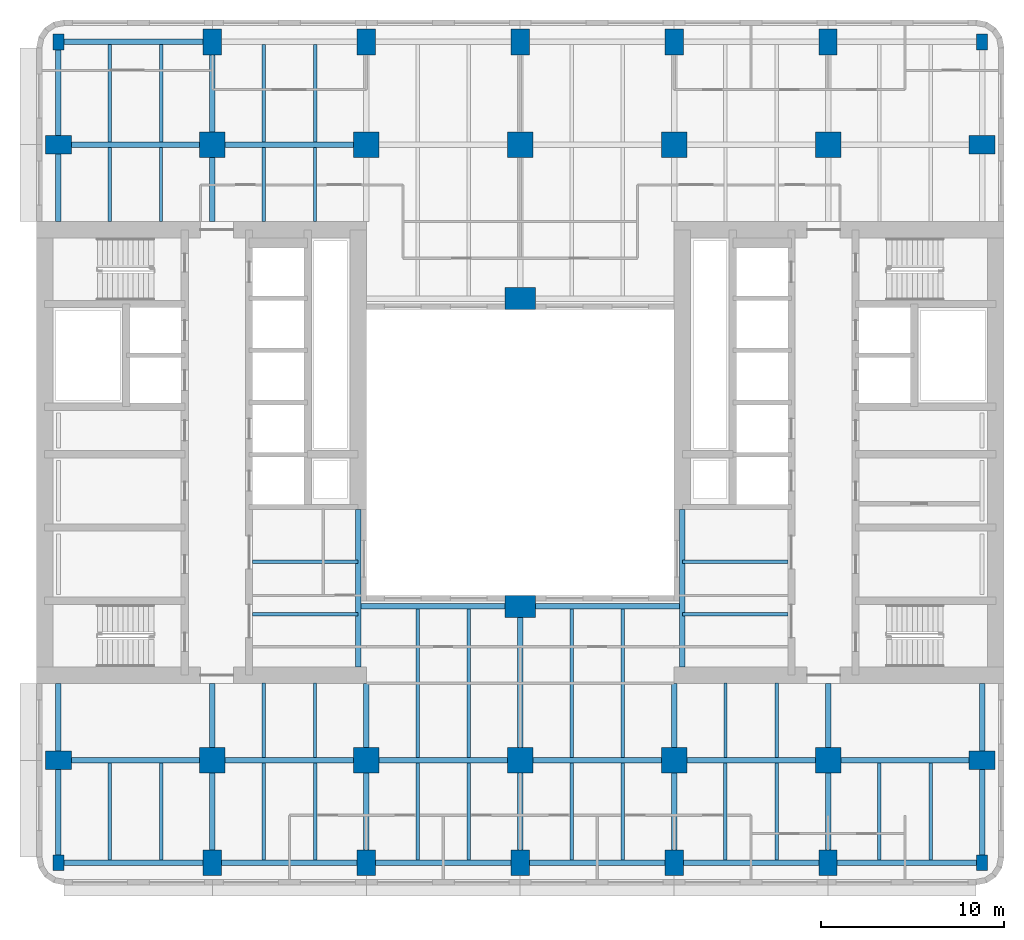
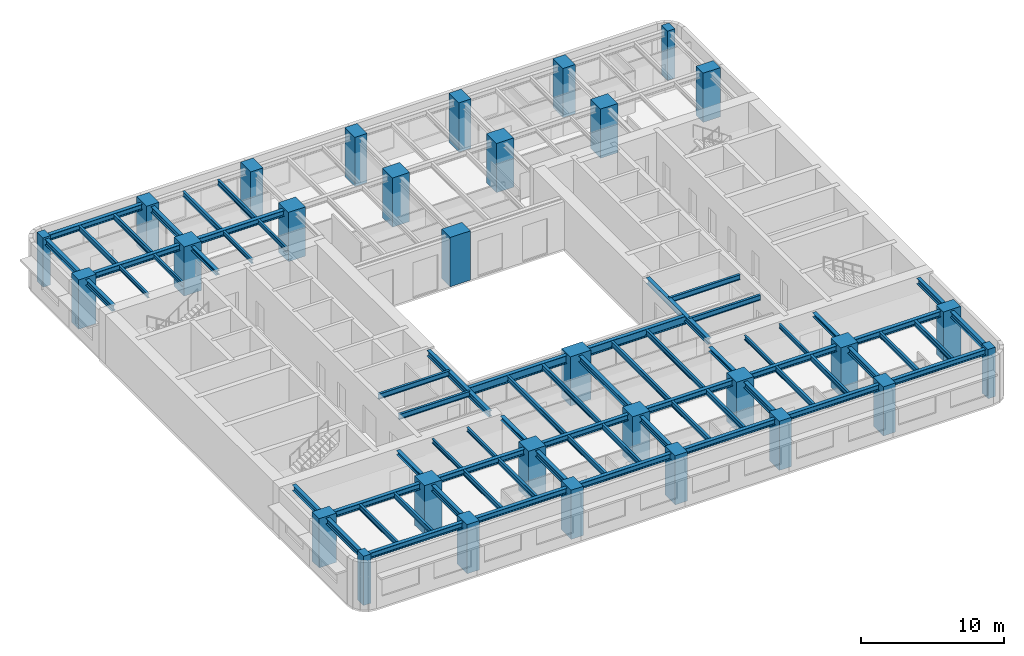
# One storey, part 1 of 11: 69 beams, 30 columns.
"""IFC4 building model written with IfcOpenShell, lengths in metres."""

from ifc_helpers import new_model, si_unit, direction, frame, origin, origin_2d, place, context, subcontext, project, spatial, rectangle, i_section, extrude, material, material_profile, profile_set, type_object, element, save


model = new_model("IFC4")

# Units and contexts
model_context = context("Model", 3, precision=1e-05, world=origin(), true_north=direction((0.0, 1.0)))
body_context = subcontext(model_context, "Body", "Model", "MODEL_VIEW")
ifc_project = project(units=[si_unit("LENGTHUNIT", "METRE"), si_unit("AREAUNIT", "SQUARE_METRE"), si_unit("VOLUMEUNIT", "CUBIC_METRE"), si_unit("PLANEANGLEUNIT", "RADIAN"), si_unit("MASSUNIT", "GRAM", prefix="KILO")], contexts=[model_context])

# Site, building, storey
site_placement = place(None, origin())
site = spatial("IfcSite", under=ifc_project, at=site_placement, CompositionType="ELEMENT")
building_placement = place(site_placement, origin())
building = spatial("IfcBuilding", under=site, at=building_placement, Name="Claustro Exchange Tower", CompositionType="ELEMENT")
storey_placement = place(building_placement, frame((0.0, 0.0, 134.39990234375)))
storey = spatial("IfcBuildingStorey", under=building, at=storey_placement, Name="L30", CompositionType="ELEMENT", Elevation=134.39990234375)

# Columns
ifc_material_1 = material(Name="Concrete HA-70 (C70/85)", Category="concrete")
ifc_material_profile_1 = material_profile(ifc_material_1, rectangle(XDim=1.39990234375, YDim=1.39990234375, at=origin_2d()), Name="RC 1400x1400")
ifc_profile_set_1 = profile_set([ifc_material_profile_1], Name="Concrete HA-70 (C70/85)")
column_type_1 = type_object("IfcColumnType", Name="C0 RC 1400x1400 HA-70 column", PredefinedType="COLUMN", material=ifc_profile_set_1)
for number, where, z_axis, x_axis, name in (
    (1, (8.39990234375, 8.39990234375, 0.0), (0.0, 0.0, 1.0), (1.0, 0.0, 0.0), "Column C0 2/B L30"),
    (2, (8.39990234375, 42.0, 0.0), (0.0, 0.0, 1.0), (1.0, 0.0, 0.0), "Column C0 2/F L30"),
    (3, (16.800048828125, 8.39990234375, 0.0), (0.0, 0.0, 1.0), (1.0, 0.0, 0.0), "Column C0 3/B L30"),
    (4, (16.800048828125, 42.0, 0.0), (0.0, 0.0, 1.0), (1.0, 0.0, 0.0), "Column C0 3/F L30"),
    (5, (25.199951171875, 8.39990234375, 0.0), (0.0, 0.0, 1.0), (1.0, 0.0, 0.0), "Column C0 4/B L30"),
    (6, (25.199951171875, 42.0, 0.0), (0.0, 0.0, 1.0), (1.0, 0.0, 0.0), "Column C0 4/F L30"),
    (7, (33.60009765625, 8.39990234375, 0.0), (0.0, 0.0, 1.0), (1.0, 0.0, 0.0), "Column C0 5/B L30"),
    (8, (33.60009765625, 42.0, 0.0), (0.0, 0.0, 1.0), (1.0, 0.0, 0.0), "Column C0 5/F L30"),
    (9, (42.0, 8.39990234375, 0.0), (0.0, 0.0, 1.0), (1.0, 0.0, 0.0), "Column C0 6/B L30"),
    (10, (42.0, 42.0, 0.0), (0.0, 0.0, 1.0), (1.0, 0.0, 0.0), "Column C0 6/F L30"),
):
    element("IfcColumn", number, at=place(storey_placement, frame(where, z_axis=z_axis, x_axis=x_axis)), inside=storey, type_object=column_type_1, Name=name, PredefinedType="COLUMN", context=body_context, shape_type="SweptSolid", body=[
        extrude(rectangle(XDim=1.39990234375, YDim=1.39990234375, at=origin_2d()), origin(), (0.0, 0.0, 1.0), 4.2001953125),
    ])
ifc_material_2 = material(Name="Concrete HA-70 (C70/85)", Category="concrete")
ifc_material_profile_2 = material_profile(ifc_material_2, rectangle(XDim=1.0, YDim=1.39990234375, at=origin_2d()), Name="RC 1000x1400")
ifc_profile_set_2 = profile_set([ifc_material_profile_2], Name="Concrete HA-70 (C70/85)")
column_type_2 = type_object("IfcColumnType", Name="C22 RC 1000x1400 HA-70 perimeter column", PredefinedType="COLUMN", material=ifc_profile_set_2)
for number, where, z_axis, x_axis, name in (
    (11, (0.0, 8.39990234375, 0.0), (0.0, 0.0, 1.0), (0.0, 1.0, 0.0), "Column C22 1/B L30"),
    (12, (0.0, 42.0, 0.0), (0.0, 0.0, 1.0), (0.0, 1.0, 0.0), "Column C22 1/F L30"),
    (13, (8.39990234375, 2.800048828125, 0.0), (0.0, 0.0, 1.0), (1.0, 0.0, 0.0), "Column C22 2/A+2800 L30"),
    (14, (8.39990234375, 47.60009765625, 0.0), (0.0, 0.0, 1.0), (1.0, 0.0, 0.0), "Column C22 2/F+5600 L30"),
    (15, (16.800048828125, 2.800048828125, 0.0), (0.0, 0.0, 1.0), (1.0, 0.0, 0.0), "Column C22 3/A+2800 L30"),
    (16, (16.800048828125, 47.60009765625, 0.0), (0.0, 0.0, 1.0), (1.0, 0.0, 0.0), "Column C22 3/F+5600 L30"),
    (17, (25.199951171875, 2.800048828125, 0.0), (0.0, 0.0, 1.0), (1.0, 0.0, 0.0), "Column C22 4/A+2800 L30"),
    (18, (25.199951171875, 47.60009765625, 0.0), (0.0, 0.0, 1.0), (1.0, 0.0, 0.0), "Column C22 4/F+5600 L30"),
    (19, (33.60009765625, 2.800048828125, 0.0), (0.0, 0.0, 1.0), (1.0, 0.0, 0.0), "Column C22 5/A+2800 L30"),
    (20, (33.60009765625, 47.60009765625, 0.0), (0.0, 0.0, 1.0), (1.0, 0.0, 0.0), "Column C22 5/F+5600 L30"),
    (21, (42.0, 2.800048828125, 0.0), (0.0, 0.0, 1.0), (1.0, 0.0, 0.0), "Column C22 6/A+2800 L30"),
    (22, (42.0, 47.60009765625, 0.0), (0.0, 0.0, 1.0), (1.0, 0.0, 0.0), "Column C22 6/F+5600 L30"),
    (23, (50.39990234375, 8.39990234375, 0.0), (0.0, 0.0, 1.0), (0.0, 1.0, 0.0), "Column C22 7/B L30"),
    (24, (50.39990234375, 42.0, 0.0), (0.0, 0.0, 1.0), (0.0, 1.0, 0.0), "Column C22 7/F L30"),
):
    element("IfcColumn", number, at=place(storey_placement, frame(where, z_axis=z_axis, x_axis=x_axis)), inside=storey, type_object=column_type_2, Name=name, PredefinedType="COLUMN", context=body_context, shape_type="SweptSolid", body=[
        extrude(rectangle(XDim=1.0, YDim=1.39990234375, at=origin_2d()), origin(), (0.0, 0.0, 1.0), 4.2001953125),
    ])
ifc_material_3 = material(Name="Concrete HA-50 (C50/60)", Category="concrete")
ifc_material_profile_3 = material_profile(ifc_material_3, rectangle(XDim=0.60009765625, YDim=0.85009765625, at=origin_2d()), Name="RC 600x850")
ifc_profile_set_3 = profile_set([ifc_material_profile_3], Name="Concrete HA-50 (C50/60)")
column_type_3 = type_object("IfcColumnType", Name="C25 RC 600x850 HA-50 corner column", PredefinedType="COLUMN", material=ifc_profile_set_3)
for number, where, z_axis, x_axis, name in (
    (25, (0.0, 2.800048828125, 0.0), (0.0, 0.0, 1.0), (1.0, 0.0, 0.0), "Column C25 1/A+2800 L30"),
    (26, (0.0, 47.60009765625, 0.0), (0.0, 0.0, 1.0), (1.0, 0.0, 0.0), "Column C25 1/F+5600 L30"),
    (27, (50.39990234375, 2.800048828125, 0.0), (0.0, 0.0, 1.0), (1.0, 0.0, 0.0), "Column C25 7/A+2800 L30"),
    (28, (50.39990234375, 47.60009765625, 0.0), (0.0, 0.0, 1.0), (1.0, 0.0, 0.0), "Column C25 7/F+5600 L30"),
):
    element("IfcColumn", number, at=place(storey_placement, frame(where, z_axis=z_axis, x_axis=x_axis)), inside=storey, type_object=column_type_3, Name=name, PredefinedType="COLUMN", context=body_context, shape_type="SweptSolid", body=[
        extrude(rectangle(XDim=0.60009765625, YDim=0.85009765625, at=origin_2d()), origin(), (0.0, 0.0, 1.0), 4.2001953125),
    ])
ifc_material_4 = material(Name="Concrete HA-70 (C70/85)", Category="concrete")
ifc_material_profile_4 = material_profile(ifc_material_4, rectangle(XDim=1.64990234375, YDim=1.199951171875, at=origin_2d()), Name="RC 1650x1200")
ifc_profile_set_4 = profile_set([ifc_material_profile_4], Name="Concrete HA-70 (C70/85)")
column_type_4 = type_object("IfcColumnType", Name="C32 RC 1650x1200 HA-70 light well column", PredefinedType="COLUMN", material=ifc_profile_set_4)
for number, where, z_axis, x_axis, name in (
    (29, (25.199951171875, 16.800048828125, 0.0), (0.0, 0.0, 1.0), (1.0, 0.0, 0.0), "Column C32 4/C L30"),
    (30, (25.199951171875, 33.60009765625, 0.0), (0.0, 0.0, 1.0), (1.0, 0.0, 0.0), "Column C32 4/E L30"),
):
    element("IfcColumn", number, at=place(storey_placement, frame(where, z_axis=z_axis, x_axis=x_axis)), inside=storey, type_object=column_type_4, Name=name, PredefinedType="COLUMN", context=body_context, shape_type="SweptSolid", body=[
        extrude(rectangle(XDim=1.64990234375, YDim=1.199951171875, at=origin_2d()), origin(), (0.0, 0.0, 1.0), 4.2001953125),
    ])

# Beams
ifc_material_5 = material(Name="Steel S355", Category="steel")
ifc_material_profile_5 = material_profile(ifc_material_5, i_section(OverallWidth=0.300048828125, OverallDepth=0.68994140625, WebThickness=0.014404296875, FlangeThickness=0.027099609375, FilletRadius=0.027099609375, at=origin_2d()), Name="HE 700 A")
ifc_profile_set_5 = profile_set([ifc_material_profile_5], Name="Steel S355")
beam_type_1 = type_object("IfcBeamType", Name="B13 HE 700 A light well edge girder", PredefinedType="BEAM", material=ifc_profile_set_5)
beam_1_placement = place(storey_placement, frame((16.35009765625, 16.800048828125, 3.705078125), z_axis=(1.0, 0.0, 0.0), x_axis=(0.0, 1.0, 0.0)))
element("IfcBeam", 31, at=beam_1_placement, inside=storey, type_object=beam_type_1, Name="Beam B13 L31", PredefinedType="BEAM", context=body_context, shape_type="SweptSolid", body=[
    extrude(i_section(OverallWidth=0.300048828125, OverallDepth=0.68994140625, WebThickness=0.014404296875, FlangeThickness=0.027099609375, FilletRadius=0.027099609375, at=origin_2d()), origin(), (0.0, 0.0, 1.0), 8.849853515625),
])
beam_2_placement = place(storey_placement, frame((25.199951171875, 16.800048828125, 3.705078125), z_axis=(1.0, 0.0, 0.0), x_axis=(0.0, 1.0, 0.0)))
element("IfcBeam", 32, at=beam_2_placement, inside=storey, type_object=beam_type_1, Name="Beam B13 L31", PredefinedType="BEAM", context=body_context, shape_type="SweptSolid", body=[
    extrude(i_section(OverallWidth=0.300048828125, OverallDepth=0.68994140625, WebThickness=0.014404296875, FlangeThickness=0.027099609375, FilletRadius=0.027099609375, at=origin_2d()), origin(), (0.0, 0.0, 1.0), 8.85009765625),
])
ifc_material_6 = material(Name="Steel S355", Category="steel")
ifc_material_profile_6 = material_profile(ifc_material_6, i_section(OverallWidth=0.169921875, OverallDepth=0.360107421875, WebThickness=0.008056640625, FlangeThickness=0.0126953125, FilletRadius=0.01806640625, at=origin_2d()), Name="IPE 360")
ifc_profile_set_6 = profile_set([ifc_material_profile_6], Name="Steel S355")
beam_type_2 = type_object("IfcBeamType", Name="B16 IPE 360 short-span beam", PredefinedType="BEAM", material=ifc_profile_set_6)
for number, where, z_axis, x_axis, name in (
    (33, (2.800048828125, 37.7900390625, 3.8701171875), (0.0, 1.0, 0.0), (-1.0, 0.0, 0.0), "Beam B16 L31"),
    (34, (5.60009765625, 37.7900390625, 3.8701171875), (0.0, 1.0, 0.0), (-1.0, 0.0, 0.0), "Beam B16 L31"),
    (35, (11.199951171875, 8.550048828125, 3.8701171875), (0.0, 1.0, 0.0), (-1.0, 0.0, 0.0), "Beam B16 L31"),
    (36, (14.0, 8.550048828125, 3.8701171875), (0.0, 1.0, 0.0), (-1.0, 0.0, 0.0), "Beam B16 L31"),
    (37, (11.199951171875, 37.7900390625, 3.8701171875), (0.0, 1.0, 0.0), (-1.0, 0.0, 0.0), "Beam B16 L31"),
    (38, (14.0, 37.7900390625, 3.8701171875), (0.0, 1.0, 0.0), (-1.0, 0.0, 0.0), "Beam B16 L31"),
    (39, (36.39990234375, 8.550048828125, 3.8701171875), (0.0, 1.0, 0.0), (-1.0, 0.0, 0.0), "Beam B16 L31"),
    (40, (39.199951171875, 8.550048828125, 3.8701171875), (0.0, 1.0, 0.0), (-1.0, 0.0, 0.0), "Beam B16 L31"),
):
    element("IfcBeam", number, at=place(storey_placement, frame(where, z_axis=z_axis, x_axis=x_axis)), inside=storey, type_object=beam_type_2, Name=name, PredefinedType="BEAM", context=body_context, shape_type="SweptSolid", body=[
        extrude(i_section(OverallWidth=0.169921875, OverallDepth=0.360107421875, WebThickness=0.008056640625, FlangeThickness=0.0126953125, FilletRadius=0.01806640625, at=origin_2d()), origin(), (0.0, 0.0, 1.0), 4.06005859375),
    ])
ifc_material_7 = material(Name="Steel S355", Category="steel")
ifc_material_profile_7 = material_profile(ifc_material_7, i_section(OverallWidth=0.300048828125, OverallDepth=0.360107421875, WebThickness=0.012451171875, FlangeThickness=0.0224609375, FilletRadius=0.027099609375, at=origin_2d()), Name="HE 360 B")
ifc_profile_set_7 = profile_set([ifc_material_profile_7], Name="Steel S355")
beam_type_3 = type_object("IfcBeamType", Name="B29 HE 360 B column to core link beam", PredefinedType="BEAM", material=ifc_profile_set_7)
beam_3_placement = place(storey_placement, frame((8.39990234375, 8.39990234375, 3.8701171875), z_axis=(0.0, 1.0, 0.0), x_axis=(-1.0, 0.0, 0.0)))
element("IfcBeam", 41, at=beam_3_placement, inside=storey, type_object=beam_type_3, Name="Beam B29 L31", PredefinedType="BEAM", context=body_context, shape_type="SweptSolid", body=[
    extrude(i_section(OverallWidth=0.300048828125, OverallDepth=0.360107421875, WebThickness=0.012451171875, FlangeThickness=0.0224609375, FilletRadius=0.027099609375, at=origin_2d()), origin(), (0.0, 0.0, 1.0), 4.2001953125),
])
beam_4_placement = place(storey_placement, frame((8.39990234375, 37.800048828125, 3.8701171875), z_axis=(0.0, 1.0, 0.0), x_axis=(-1.0, 0.0, 0.0)))
element("IfcBeam", 42, at=beam_4_placement, inside=storey, type_object=beam_type_3, Name="Beam B29 L31", PredefinedType="BEAM", context=body_context, shape_type="SweptSolid", body=[
    extrude(i_section(OverallWidth=0.300048828125, OverallDepth=0.360107421875, WebThickness=0.012451171875, FlangeThickness=0.0224609375, FilletRadius=0.027099609375, at=origin_2d()), origin(), (0.0, 0.0, 1.0), 4.199951171875),
])
for number, where, z_axis, x_axis, name in (
    (43, (16.800048828125, 8.39990234375, 3.8701171875), (0.0, 1.0, 0.0), (-1.0, 0.0, 0.0), "Beam B29 L31"),
    (44, (33.60009765625, 8.39990234375, 3.8701171875), (0.0, 1.0, 0.0), (-1.0, 0.0, 0.0), "Beam B29 L31"),
    (45, (42.0, 8.39990234375, 3.8701171875), (0.0, 1.0, 0.0), (-1.0, 0.0, 0.0), "Beam B29 L31"),
):
    element("IfcBeam", number, at=place(storey_placement, frame(where, z_axis=z_axis, x_axis=x_axis)), inside=storey, type_object=beam_type_3, Name=name, PredefinedType="BEAM", context=body_context, shape_type="SweptSolid", body=[
        extrude(i_section(OverallWidth=0.300048828125, OverallDepth=0.360107421875, WebThickness=0.012451171875, FlangeThickness=0.0224609375, FilletRadius=0.027099609375, at=origin_2d()), origin(), (0.0, 0.0, 1.0), 4.2001953125),
    ])
ifc_material_8 = material(Name="Steel S355", Category="steel")
ifc_material_profile_8 = material_profile(ifc_material_8, i_section(OverallWidth=0.300048828125, OverallDepth=0.5, WebThickness=0.014404296875, FlangeThickness=0.028076171875, FilletRadius=0.027099609375, at=origin_2d()), Name="HE 500 B")
ifc_profile_set_8 = profile_set([ifc_material_profile_8], Name="Steel S355")
beam_type_4 = type_object("IfcBeamType", Name="B7 HE 500 B floor girder", PredefinedType="BEAM", material=ifc_profile_set_8)
beam_5_placement = place(storey_placement, frame((8.39990234375, 2.800048828125, 3.800048828125), z_axis=(0.0, 1.0, 0.0), x_axis=(-1.0, 0.0, 0.0)))
element("IfcBeam", 46, at=beam_5_placement, inside=storey, type_object=beam_type_4, Name="Beam B7 L31", PredefinedType="BEAM", context=body_context, shape_type="SweptSolid", body=[
    extrude(i_section(OverallWidth=0.300048828125, OverallDepth=0.5, WebThickness=0.014404296875, FlangeThickness=0.028076171875, FilletRadius=0.027099609375, at=origin_2d()), origin(), (0.0, 0.0, 1.0), 5.599853515625),
])
beam_6_placement = place(storey_placement, frame((8.39990234375, 42.0, 3.800048828125), z_axis=(0.0, 1.0, 0.0), x_axis=(-1.0, 0.0, 0.0)))
element("IfcBeam", 47, at=beam_6_placement, inside=storey, type_object=beam_type_4, Name="Beam B7 L31", PredefinedType="BEAM", context=body_context, shape_type="SweptSolid", body=[
    extrude(i_section(OverallWidth=0.300048828125, OverallDepth=0.5, WebThickness=0.014404296875, FlangeThickness=0.028076171875, FilletRadius=0.027099609375, at=origin_2d()), origin(), (0.0, 0.0, 1.0), 5.60009765625),
])
for number, where, z_axis, x_axis, name in (
    (48, (16.800048828125, 2.800048828125, 3.800048828125), (0.0, 1.0, 0.0), (-1.0, 0.0, 0.0), "Beam B7 L31"),
    (49, (25.199951171875, 2.800048828125, 3.800048828125), (0.0, 1.0, 0.0), (-1.0, 0.0, 0.0), "Beam B7 L31"),
):
    element("IfcBeam", number, at=place(storey_placement, frame(where, z_axis=z_axis, x_axis=x_axis)), inside=storey, type_object=beam_type_4, Name=name, PredefinedType="BEAM", context=body_context, shape_type="SweptSolid", body=[
        extrude(i_section(OverallWidth=0.300048828125, OverallDepth=0.5, WebThickness=0.014404296875, FlangeThickness=0.028076171875, FilletRadius=0.027099609375, at=origin_2d()), origin(), (0.0, 0.0, 1.0), 5.599853515625),
    ])
beam_7_placement = place(storey_placement, frame((25.199951171875, 8.39990234375, 3.800048828125), z_axis=(0.0, 1.0, 0.0), x_axis=(-1.0, 0.0, 0.0)))
element("IfcBeam", 50, at=beam_7_placement, inside=storey, type_object=beam_type_4, Name="Beam B7 L31", PredefinedType="BEAM", context=body_context, shape_type="SweptSolid", body=[
    extrude(i_section(OverallWidth=0.300048828125, OverallDepth=0.5, WebThickness=0.014404296875, FlangeThickness=0.028076171875, FilletRadius=0.027099609375, at=origin_2d()), origin(), (0.0, 0.0, 1.0), 8.400146484375),
])
for number, where, z_axis, x_axis, name in (
    (51, (33.60009765625, 2.800048828125, 3.800048828125), (0.0, 1.0, 0.0), (-1.0, 0.0, 0.0), "Beam B7 L31"),
    (52, (42.0, 2.800048828125, 3.800048828125), (0.0, 1.0, 0.0), (-1.0, 0.0, 0.0), "Beam B7 L31"),
):
    element("IfcBeam", number, at=place(storey_placement, frame(where, z_axis=z_axis, x_axis=x_axis)), inside=storey, type_object=beam_type_4, Name=name, PredefinedType="BEAM", context=body_context, shape_type="SweptSolid", body=[
        extrude(i_section(OverallWidth=0.300048828125, OverallDepth=0.5, WebThickness=0.014404296875, FlangeThickness=0.028076171875, FilletRadius=0.027099609375, at=origin_2d()), origin(), (0.0, 0.0, 1.0), 5.599853515625),
    ])
beam_8_placement = place(storey_placement, frame((0.0, 8.39990234375, 3.800048828125), z_axis=(1.0, 0.0, 0.0), x_axis=(0.0, 1.0, 0.0)))
element("IfcBeam", 53, at=beam_8_placement, inside=storey, type_object=beam_type_4, Name="Beam B7 L31", PredefinedType="BEAM", context=body_context, shape_type="SweptSolid", body=[
    extrude(i_section(OverallWidth=0.300048828125, OverallDepth=0.5, WebThickness=0.014404296875, FlangeThickness=0.028076171875, FilletRadius=0.027099609375, at=origin_2d()), origin(), (0.0, 0.0, 1.0), 8.39990234375),
])
beam_9_placement = place(storey_placement, frame((8.39990234375, 8.39990234375, 3.800048828125), z_axis=(1.0, 0.0, 0.0), x_axis=(0.0, 1.0, 0.0)))
element("IfcBeam", 54, at=beam_9_placement, inside=storey, type_object=beam_type_4, Name="Beam B7 L31", PredefinedType="BEAM", context=body_context, shape_type="SweptSolid", body=[
    extrude(i_section(OverallWidth=0.300048828125, OverallDepth=0.5, WebThickness=0.014404296875, FlangeThickness=0.028076171875, FilletRadius=0.027099609375, at=origin_2d()), origin(), (0.0, 0.0, 1.0), 8.400146484375),
])
beam_10_placement = place(storey_placement, frame((16.800048828125, 8.39990234375, 3.800048828125), z_axis=(1.0, 0.0, 0.0), x_axis=(0.0, 1.0, 0.0)))
element("IfcBeam", 55, at=beam_10_placement, inside=storey, type_object=beam_type_4, Name="Beam B7 L31", PredefinedType="BEAM", context=body_context, shape_type="SweptSolid", body=[
    extrude(i_section(OverallWidth=0.300048828125, OverallDepth=0.5, WebThickness=0.014404296875, FlangeThickness=0.028076171875, FilletRadius=0.027099609375, at=origin_2d()), origin(), (0.0, 0.0, 1.0), 8.39990234375),
])
beam_11_placement = place(storey_placement, frame((25.199951171875, 8.39990234375, 3.800048828125), z_axis=(1.0, 0.0, 0.0), x_axis=(0.0, 1.0, 0.0)))
element("IfcBeam", 56, at=beam_11_placement, inside=storey, type_object=beam_type_4, Name="Beam B7 L31", PredefinedType="BEAM", context=body_context, shape_type="SweptSolid", body=[
    extrude(i_section(OverallWidth=0.300048828125, OverallDepth=0.5, WebThickness=0.014404296875, FlangeThickness=0.028076171875, FilletRadius=0.027099609375, at=origin_2d()), origin(), (0.0, 0.0, 1.0), 8.400146484375),
])
for number, where, z_axis, x_axis, name in (
    (57, (33.60009765625, 8.39990234375, 3.800048828125), (1.0, 0.0, 0.0), (0.0, 1.0, 0.0), "Beam B7 L31"),
    (58, (42.0, 8.39990234375, 3.800048828125), (1.0, 0.0, 0.0), (0.0, 1.0, 0.0), "Beam B7 L31"),
    (59, (0.0, 42.0, 3.800048828125), (1.0, 0.0, 0.0), (0.0, 1.0, 0.0), "Beam B7 L31"),
):
    element("IfcBeam", number, at=place(storey_placement, frame(where, z_axis=z_axis, x_axis=x_axis)), inside=storey, type_object=beam_type_4, Name=name, PredefinedType="BEAM", context=body_context, shape_type="SweptSolid", body=[
        extrude(i_section(OverallWidth=0.300048828125, OverallDepth=0.5, WebThickness=0.014404296875, FlangeThickness=0.028076171875, FilletRadius=0.027099609375, at=origin_2d()), origin(), (0.0, 0.0, 1.0), 8.39990234375),
    ])
beam_12_placement = place(storey_placement, frame((8.39990234375, 42.0, 3.800048828125), z_axis=(1.0, 0.0, 0.0), x_axis=(0.0, 1.0, 0.0)))
element("IfcBeam", 60, at=beam_12_placement, inside=storey, type_object=beam_type_4, Name="Beam B7 L31", PredefinedType="BEAM", context=body_context, shape_type="SweptSolid", body=[
    extrude(i_section(OverallWidth=0.300048828125, OverallDepth=0.5, WebThickness=0.014404296875, FlangeThickness=0.028076171875, FilletRadius=0.027099609375, at=origin_2d()), origin(), (0.0, 0.0, 1.0), 8.400146484375),
])
for number, where, z_axis, x_axis, name in (
    (61, (16.35009765625, 13.5, 3.800048828125), (0.0, 1.0, 0.0), (-1.0, 0.0, 0.0), "Beam B7 core step framing L31"),
    (62, (34.050048828125, 13.5, 3.800048828125), (0.0, 1.0, 0.0), (-1.0, 0.0, 0.0), "Beam B7 core step framing L31"),
):
    element("IfcBeam", number, at=place(storey_placement, frame(where, z_axis=z_axis, x_axis=x_axis)), inside=storey, type_object=beam_type_4, Name=name, PredefinedType="BEAM", context=body_context, shape_type="SweptSolid", body=[
        extrude(i_section(OverallWidth=0.300048828125, OverallDepth=0.5, WebThickness=0.014404296875, FlangeThickness=0.028076171875, FilletRadius=0.027099609375, at=origin_2d()), origin(), (0.0, 0.0, 1.0), 8.60009765625),
    ])
ifc_material_9 = material(Name="Steel S355", Category="steel")
ifc_material_profile_9 = material_profile(ifc_material_9, i_section(OverallWidth=0.18994140625, OverallDepth=0.449951171875, WebThickness=0.009521484375, FlangeThickness=0.0146484375, FilletRadius=0.02099609375, at=origin_2d()), Name="IPE 450")
ifc_profile_set_9 = profile_set([ifc_material_profile_9], Name="Steel S355")
beam_type_5 = type_object("IfcBeamType", Name="B8 IPE 450 secondary beam", PredefinedType="BEAM", material=ifc_profile_set_9)
for number, where, z_axis, x_axis, name in (
    (63, (2.800048828125, 2.949951171875, 3.8251953125), (0.0, 1.0, 0.0), (-1.0, 0.0, 0.0), "Beam B8 L31"),
    (64, (5.60009765625, 2.949951171875, 3.8251953125), (0.0, 1.0, 0.0), (-1.0, 0.0, 0.0), "Beam B8 L31"),
    (65, (2.800048828125, 42.14990234375, 3.8251953125), (0.0, 1.0, 0.0), (-1.0, 0.0, 0.0), "Beam B8 L31"),
    (66, (5.60009765625, 42.14990234375, 3.8251953125), (0.0, 1.0, 0.0), (-1.0, 0.0, 0.0), "Beam B8 L31"),
    (67, (11.199951171875, 2.949951171875, 3.8251953125), (0.0, 1.0, 0.0), (-1.0, 0.0, 0.0), "Beam B8 L31"),
    (68, (14.0, 2.949951171875, 3.8251953125), (0.0, 1.0, 0.0), (-1.0, 0.0, 0.0), "Beam B8 L31"),
    (69, (11.199951171875, 42.14990234375, 3.8251953125), (0.0, 1.0, 0.0), (-1.0, 0.0, 0.0), "Beam B8 L31"),
    (70, (14.0, 42.14990234375, 3.8251953125), (0.0, 1.0, 0.0), (-1.0, 0.0, 0.0), "Beam B8 L31"),
    (71, (19.60009765625, 2.949951171875, 3.8251953125), (0.0, 1.0, 0.0), (-1.0, 0.0, 0.0), "Beam B8 L31"),
    (72, (22.39990234375, 2.949951171875, 3.8251953125), (0.0, 1.0, 0.0), (-1.0, 0.0, 0.0), "Beam B8 L31"),
):
    element("IfcBeam", number, at=place(storey_placement, frame(where, z_axis=z_axis, x_axis=x_axis)), inside=storey, type_object=beam_type_5, Name=name, PredefinedType="BEAM", context=body_context, shape_type="SweptSolid", body=[
        extrude(i_section(OverallWidth=0.18994140625, OverallDepth=0.449951171875, WebThickness=0.009521484375, FlangeThickness=0.0146484375, FilletRadius=0.02099609375, at=origin_2d()), origin(), (0.0, 0.0, 1.0), 5.300048828125),
    ])
for number, where, z_axis, x_axis, name in (
    (73, (19.60009765625, 8.550048828125, 3.8251953125), (0.0, 1.0, 0.0), (-1.0, 0.0, 0.0), "Beam B8 L31"),
    (74, (22.39990234375, 8.550048828125, 3.8251953125), (0.0, 1.0, 0.0), (-1.0, 0.0, 0.0), "Beam B8 L31"),
):
    element("IfcBeam", number, at=place(storey_placement, frame(where, z_axis=z_axis, x_axis=x_axis)), inside=storey, type_object=beam_type_5, Name=name, PredefinedType="BEAM", context=body_context, shape_type="SweptSolid", body=[
        extrude(i_section(OverallWidth=0.18994140625, OverallDepth=0.449951171875, WebThickness=0.009521484375, FlangeThickness=0.0146484375, FilletRadius=0.02099609375, at=origin_2d()), origin(), (0.0, 0.0, 1.0), 8.099853515625),
    ])
for number, where, z_axis, x_axis, name in (
    (75, (28.0, 2.949951171875, 3.8251953125), (0.0, 1.0, 0.0), (-1.0, 0.0, 0.0), "Beam B8 L31"),
    (76, (30.800048828125, 2.949951171875, 3.8251953125), (0.0, 1.0, 0.0), (-1.0, 0.0, 0.0), "Beam B8 L31"),
):
    element("IfcBeam", number, at=place(storey_placement, frame(where, z_axis=z_axis, x_axis=x_axis)), inside=storey, type_object=beam_type_5, Name=name, PredefinedType="BEAM", context=body_context, shape_type="SweptSolid", body=[
        extrude(i_section(OverallWidth=0.18994140625, OverallDepth=0.449951171875, WebThickness=0.009521484375, FlangeThickness=0.0146484375, FilletRadius=0.02099609375, at=origin_2d()), origin(), (0.0, 0.0, 1.0), 5.300048828125),
    ])
for number, where, z_axis, x_axis, name in (
    (77, (28.0, 8.550048828125, 3.8251953125), (0.0, 1.0, 0.0), (-1.0, 0.0, 0.0), "Beam B8 L31"),
    (78, (30.800048828125, 8.550048828125, 3.8251953125), (0.0, 1.0, 0.0), (-1.0, 0.0, 0.0), "Beam B8 L31"),
):
    element("IfcBeam", number, at=place(storey_placement, frame(where, z_axis=z_axis, x_axis=x_axis)), inside=storey, type_object=beam_type_5, Name=name, PredefinedType="BEAM", context=body_context, shape_type="SweptSolid", body=[
        extrude(i_section(OverallWidth=0.18994140625, OverallDepth=0.449951171875, WebThickness=0.009521484375, FlangeThickness=0.0146484375, FilletRadius=0.02099609375, at=origin_2d()), origin(), (0.0, 0.0, 1.0), 8.099853515625),
    ])
for number, where, z_axis, x_axis, name in (
    (79, (36.39990234375, 2.949951171875, 3.8251953125), (0.0, 1.0, 0.0), (-1.0, 0.0, 0.0), "Beam B8 L31"),
    (80, (39.199951171875, 2.949951171875, 3.8251953125), (0.0, 1.0, 0.0), (-1.0, 0.0, 0.0), "Beam B8 L31"),
    (81, (44.800048828125, 2.949951171875, 3.8251953125), (0.0, 1.0, 0.0), (-1.0, 0.0, 0.0), "Beam B8 L31"),
    (82, (47.60009765625, 2.949951171875, 3.8251953125), (0.0, 1.0, 0.0), (-1.0, 0.0, 0.0), "Beam B8 L31"),
):
    element("IfcBeam", number, at=place(storey_placement, frame(where, z_axis=z_axis, x_axis=x_axis)), inside=storey, type_object=beam_type_5, Name=name, PredefinedType="BEAM", context=body_context, shape_type="SweptSolid", body=[
        extrude(i_section(OverallWidth=0.18994140625, OverallDepth=0.449951171875, WebThickness=0.009521484375, FlangeThickness=0.0146484375, FilletRadius=0.02099609375, at=origin_2d()), origin(), (0.0, 0.0, 1.0), 5.300048828125),
    ])
for number, where, z_axis, x_axis, name in (
    (83, (10.60009765625, 16.36669921875, 3.8251953125), (1.0, 0.0, 0.0), (0.0, 1.0, 0.0), "Beam B8 core step framing L31"),
    (84, (10.60009765625, 19.2333984375, 3.8251953125), (1.0, 0.0, 0.0), (0.0, 1.0, 0.0), "Beam B8 core step framing L31"),
    (85, (34.050048828125, 16.36669921875, 3.8251953125), (1.0, 0.0, 0.0), (0.0, 1.0, 0.0), "Beam B8 core step framing L31"),
    (86, (34.050048828125, 19.2333984375, 3.8251953125), (1.0, 0.0, 0.0), (0.0, 1.0, 0.0), "Beam B8 core step framing L31"),
):
    element("IfcBeam", number, at=place(storey_placement, frame(where, z_axis=z_axis, x_axis=x_axis)), inside=storey, type_object=beam_type_5, Name=name, PredefinedType="BEAM", context=body_context, shape_type="SweptSolid", body=[
        extrude(i_section(OverallWidth=0.18994140625, OverallDepth=0.449951171875, WebThickness=0.009521484375, FlangeThickness=0.0146484375, FilletRadius=0.02099609375, at=origin_2d()), origin(), (0.0, 0.0, 1.0), 5.75),
    ])
ifc_material_10 = material(Name="Steel S355", Category="steel")
ifc_material_profile_10 = material_profile(ifc_material_10, i_section(OverallWidth=0.300048828125, OverallDepth=0.489990234375, WebThickness=0.011962890625, FlangeThickness=0.02294921875, FilletRadius=0.027099609375, at=origin_2d()), Name="HE 500 A")
ifc_profile_set_10 = profile_set([ifc_material_profile_10], Name="Steel S355")
beam_type_6 = type_object("IfcBeamType", Name="B9 HE 500 A spandrel edge girder", PredefinedType="SPANDREL", material=ifc_profile_set_10)
beam_13_placement = place(storey_placement, frame((0.0, 2.800048828125, 3.80517578125), z_axis=(0.0, 1.0, 0.0), x_axis=(-1.0, 0.0, 0.0)))
element("IfcBeam", 87, at=beam_13_placement, inside=storey, type_object=beam_type_6, Name="Beam B9 L31", PredefinedType="SPANDREL", context=body_context, shape_type="SweptSolid", body=[
    extrude(i_section(OverallWidth=0.300048828125, OverallDepth=0.489990234375, WebThickness=0.011962890625, FlangeThickness=0.02294921875, FilletRadius=0.027099609375, at=origin_2d()), origin(), (0.0, 0.0, 1.0), 5.599853515625),
])
beam_14_placement = place(storey_placement, frame((0.0, 8.39990234375, 3.80517578125), z_axis=(0.0, 1.0, 0.0), x_axis=(-1.0, 0.0, 0.0)))
element("IfcBeam", 88, at=beam_14_placement, inside=storey, type_object=beam_type_6, Name="Beam B9 L31", PredefinedType="SPANDREL", context=body_context, shape_type="SweptSolid", body=[
    extrude(i_section(OverallWidth=0.300048828125, OverallDepth=0.489990234375, WebThickness=0.011962890625, FlangeThickness=0.02294921875, FilletRadius=0.027099609375, at=origin_2d()), origin(), (0.0, 0.0, 1.0), 4.2001953125),
])
beam_15_placement = place(storey_placement, frame((0.0, 37.800048828125, 3.80517578125), z_axis=(0.0, 1.0, 0.0), x_axis=(-1.0, 0.0, 0.0)))
element("IfcBeam", 89, at=beam_15_placement, inside=storey, type_object=beam_type_6, Name="Beam B9 L31", PredefinedType="SPANDREL", context=body_context, shape_type="SweptSolid", body=[
    extrude(i_section(OverallWidth=0.300048828125, OverallDepth=0.489990234375, WebThickness=0.011962890625, FlangeThickness=0.02294921875, FilletRadius=0.027099609375, at=origin_2d()), origin(), (0.0, 0.0, 1.0), 4.199951171875),
])
beam_16_placement = place(storey_placement, frame((0.0, 42.0, 3.80517578125), z_axis=(0.0, 1.0, 0.0), x_axis=(-1.0, 0.0, 0.0)))
element("IfcBeam", 90, at=beam_16_placement, inside=storey, type_object=beam_type_6, Name="Beam B9 L31", PredefinedType="SPANDREL", context=body_context, shape_type="SweptSolid", body=[
    extrude(i_section(OverallWidth=0.300048828125, OverallDepth=0.489990234375, WebThickness=0.011962890625, FlangeThickness=0.02294921875, FilletRadius=0.027099609375, at=origin_2d()), origin(), (0.0, 0.0, 1.0), 5.60009765625),
])
beam_17_placement = place(storey_placement, frame((50.39990234375, 2.800048828125, 3.80517578125), z_axis=(0.0, 1.0, 0.0), x_axis=(-1.0, 0.0, 0.0)))
element("IfcBeam", 91, at=beam_17_placement, inside=storey, type_object=beam_type_6, Name="Beam B9 L31", PredefinedType="SPANDREL", context=body_context, shape_type="SweptSolid", body=[
    extrude(i_section(OverallWidth=0.300048828125, OverallDepth=0.489990234375, WebThickness=0.011962890625, FlangeThickness=0.02294921875, FilletRadius=0.027099609375, at=origin_2d()), origin(), (0.0, 0.0, 1.0), 5.599853515625),
])
beam_18_placement = place(storey_placement, frame((50.39990234375, 8.39990234375, 3.80517578125), z_axis=(0.0, 1.0, 0.0), x_axis=(-1.0, 0.0, 0.0)))
element("IfcBeam", 92, at=beam_18_placement, inside=storey, type_object=beam_type_6, Name="Beam B9 L31", PredefinedType="SPANDREL", context=body_context, shape_type="SweptSolid", body=[
    extrude(i_section(OverallWidth=0.300048828125, OverallDepth=0.489990234375, WebThickness=0.011962890625, FlangeThickness=0.02294921875, FilletRadius=0.027099609375, at=origin_2d()), origin(), (0.0, 0.0, 1.0), 4.2001953125),
])
beam_19_placement = place(storey_placement, frame((0.0, 2.800048828125, 3.80517578125), z_axis=(1.0, 0.0, 0.0), x_axis=(0.0, 1.0, 0.0)))
element("IfcBeam", 93, at=beam_19_placement, inside=storey, type_object=beam_type_6, Name="Beam B9 L31", PredefinedType="SPANDREL", context=body_context, shape_type="SweptSolid", body=[
    extrude(i_section(OverallWidth=0.300048828125, OverallDepth=0.489990234375, WebThickness=0.011962890625, FlangeThickness=0.02294921875, FilletRadius=0.027099609375, at=origin_2d()), origin(), (0.0, 0.0, 1.0), 8.39990234375),
])
beam_20_placement = place(storey_placement, frame((8.39990234375, 2.800048828125, 3.80517578125), z_axis=(1.0, 0.0, 0.0), x_axis=(0.0, 1.0, 0.0)))
element("IfcBeam", 94, at=beam_20_placement, inside=storey, type_object=beam_type_6, Name="Beam B9 L31", PredefinedType="SPANDREL", context=body_context, shape_type="SweptSolid", body=[
    extrude(i_section(OverallWidth=0.300048828125, OverallDepth=0.489990234375, WebThickness=0.011962890625, FlangeThickness=0.02294921875, FilletRadius=0.027099609375, at=origin_2d()), origin(), (0.0, 0.0, 1.0), 8.400146484375),
])
beam_21_placement = place(storey_placement, frame((16.800048828125, 2.800048828125, 3.80517578125), z_axis=(1.0, 0.0, 0.0), x_axis=(0.0, 1.0, 0.0)))
element("IfcBeam", 95, at=beam_21_placement, inside=storey, type_object=beam_type_6, Name="Beam B9 L31", PredefinedType="SPANDREL", context=body_context, shape_type="SweptSolid", body=[
    extrude(i_section(OverallWidth=0.300048828125, OverallDepth=0.489990234375, WebThickness=0.011962890625, FlangeThickness=0.02294921875, FilletRadius=0.027099609375, at=origin_2d()), origin(), (0.0, 0.0, 1.0), 8.39990234375),
])
beam_22_placement = place(storey_placement, frame((25.199951171875, 2.800048828125, 3.80517578125), z_axis=(1.0, 0.0, 0.0), x_axis=(0.0, 1.0, 0.0)))
element("IfcBeam", 96, at=beam_22_placement, inside=storey, type_object=beam_type_6, Name="Beam B9 L31", PredefinedType="SPANDREL", context=body_context, shape_type="SweptSolid", body=[
    extrude(i_section(OverallWidth=0.300048828125, OverallDepth=0.489990234375, WebThickness=0.011962890625, FlangeThickness=0.02294921875, FilletRadius=0.027099609375, at=origin_2d()), origin(), (0.0, 0.0, 1.0), 8.400146484375),
])
for number, where, z_axis, x_axis, name in (
    (97, (33.60009765625, 2.800048828125, 3.80517578125), (1.0, 0.0, 0.0), (0.0, 1.0, 0.0), "Beam B9 L31"),
    (98, (42.0, 2.800048828125, 3.80517578125), (1.0, 0.0, 0.0), (0.0, 1.0, 0.0), "Beam B9 L31"),
    (99, (0.0, 47.60009765625, 3.80517578125), (1.0, 0.0, 0.0), (0.0, 1.0, 0.0), "Beam B9 L31"),
):
    element("IfcBeam", number, at=place(storey_placement, frame(where, z_axis=z_axis, x_axis=x_axis)), inside=storey, type_object=beam_type_6, Name=name, PredefinedType="SPANDREL", context=body_context, shape_type="SweptSolid", body=[
        extrude(i_section(OverallWidth=0.300048828125, OverallDepth=0.489990234375, WebThickness=0.011962890625, FlangeThickness=0.02294921875, FilletRadius=0.027099609375, at=origin_2d()), origin(), (0.0, 0.0, 1.0), 8.39990234375),
    ])

save(model, "model.ifc")
